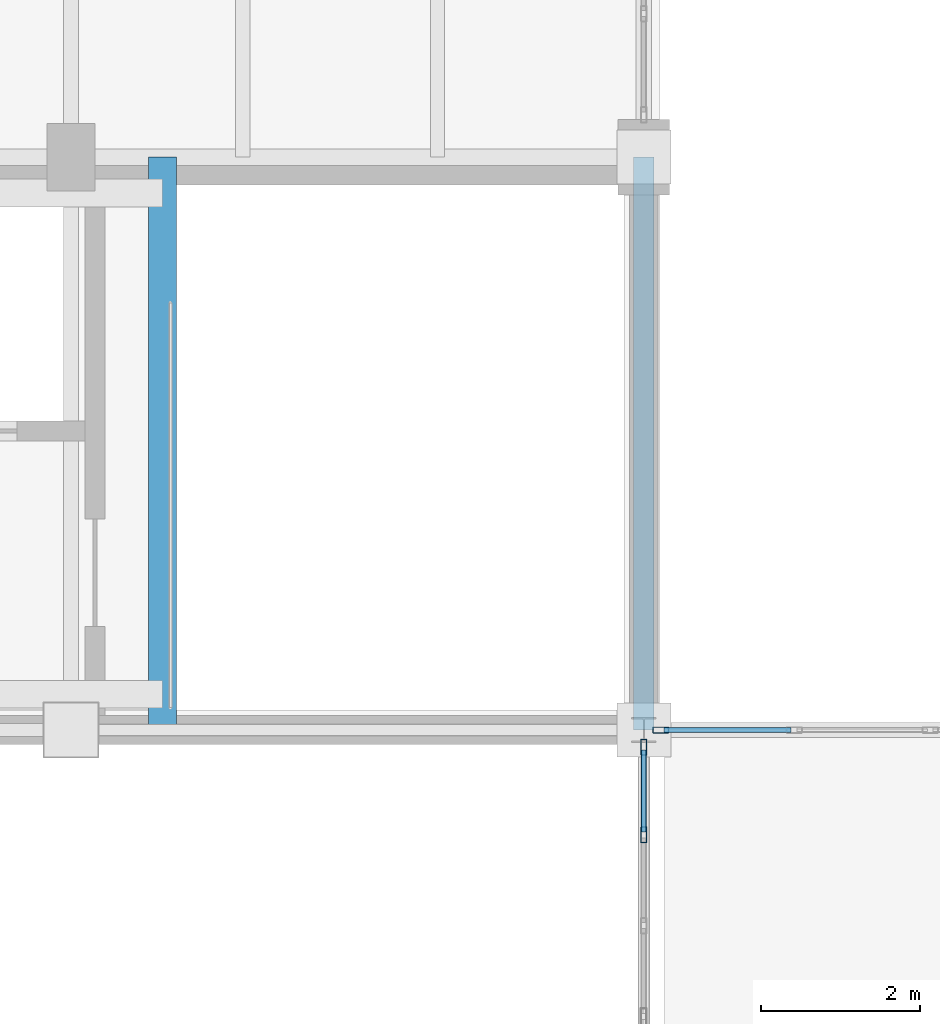
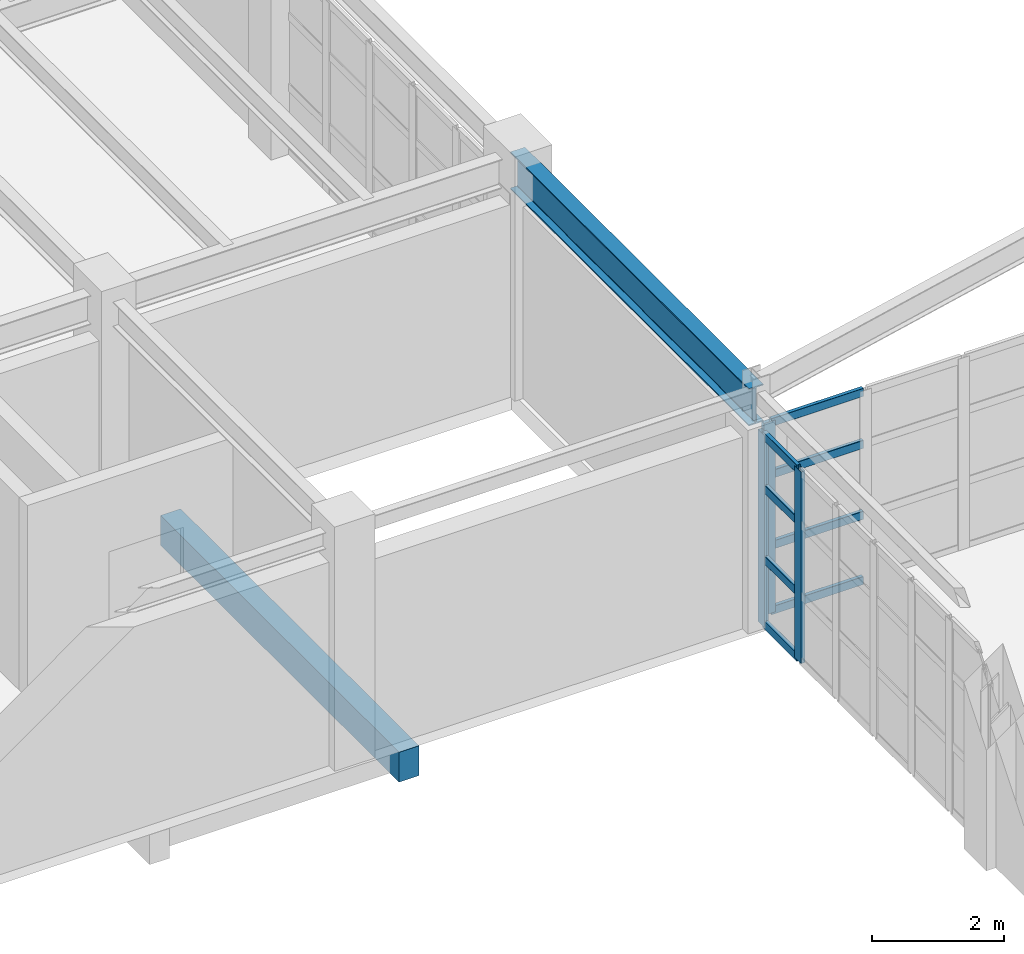
# One storey, part 85 of 137: 11 members, 2 beams, 2 elements without a shape of their own.
"""IFC4 building model written with IfcOpenShell, lengths in metres."""

from ifc_helpers import new_model, si_unit, direction, frame, origin, origin_2d, place, context, subcontext, project, spatial, rectangle, hollow_rectangle, i_section, extrude, material, layer, layer_set, material_profile, profile_set, type_object, element, aggregate, save


model = new_model("IFC4")

# Units and contexts
model_context = context("Model", 3, precision=1e-05, world=origin(), true_north=direction((0.0, 1.0)))
body_context = subcontext(model_context, "Body", "Model", "MODEL_VIEW")
ifc_project = project(units=[si_unit("LENGTHUNIT", "METRE"), si_unit("AREAUNIT", "SQUARE_METRE"), si_unit("VOLUMEUNIT", "CUBIC_METRE"), si_unit("PLANEANGLEUNIT", "RADIAN"), si_unit("MASSUNIT", "GRAM", prefix="KILO")], contexts=[model_context])

# Site, building, storey
site_placement = place(None, origin())
site = spatial("IfcSite", under=ifc_project, at=site_placement, CompositionType="ELEMENT")
building_placement = place(site_placement, origin())
building = spatial("IfcBuilding", under=site, at=building_placement, Name="Kemerveld Promenade Tramway Depot", CompositionType="ELEMENT")
storey_placement = place(building_placement, frame((0.0, 0.0, 5.39990234375)))
storey = spatial("IfcBuildingStorey", under=building, at=storey_placement, Name="L01", CompositionType="ELEMENT", Elevation=5.39990234375)

# Beams
ifc_material_1 = material(Name="Steel S355", Category="steel")
ifc_material_profile_1 = material_profile(ifc_material_1, i_section(OverallWidth=0.25439453125, OverallDepth=0.6875, WebThickness=0.01318359375, FlangeThickness=0.02099609375, FilletRadius=0.01513671875, at=origin_2d()), Name="686x254x152 UB")
ifc_profile_set_1 = profile_set([ifc_material_profile_1], Name="Steel S355")
beam_type_1 = type_object("IfcBeamType", Name="BM-G03", PredefinedType="BEAM", material=ifc_profile_set_1)
beam_1_placement = place(storey_placement, frame((158.39990234375, 50.39990234375, 3.896484375), z_axis=(0.0, 1.0, 0.0), x_axis=(-1.0, 0.0, 0.0)))
element("IfcBeam", 1, at=beam_1_placement, inside=storey, type_object=beam_type_1, Name="BMY-L01-23-H-J", PredefinedType="BEAM", context=body_context, shape_type="SweptSolid", body=[
    extrude(i_section(OverallWidth=0.25439453125, OverallDepth=0.6875, WebThickness=0.01318359375, FlangeThickness=0.02099609375, FilletRadius=0.01513671875, at=origin_2d()), origin(), (0.0, 0.0, 1.0), 7.2001953125),
])
ifc_material_2 = material(Name="Concrete C40/50", Category="concrete")
ifc_material_profile_2 = material_profile(ifc_material_2, rectangle(XDim=0.35009765625, YDim=0.550048828125, at=origin_2d()), Name="RC-BM-350x550")
ifc_profile_set_2 = profile_set([ifc_material_profile_2], Name="Concrete C40/50")
beam_type_2 = type_object("IfcBeamType", Name="BM-RC3", PredefinedType="BEAM", material=ifc_profile_set_2)
beam_2_placement = place(storey_placement, frame((152.35009765625, 50.39990234375, -0.599853515625), z_axis=(0.0, 1.0, 0.0), x_axis=(-1.0, 0.0, 0.0)))
element("IfcBeam", 2, at=beam_2_placement, inside=storey, type_object=beam_type_2, Name="BM-CORE-C6-L01-W", PredefinedType="BEAM", context=body_context, shape_type="SweptSolid", body=[
    extrude(rectangle(XDim=0.35009765625, YDim=0.550048828125, at=origin_2d()), origin(), (0.0, 0.0, 1.0), 7.2001953125),
])

# Curtain wall, member
ifc_material_3 = material(Name="Bronze anodised aluminium and solar glass", Category="aluminium")
ifc_layer_1 = layer(ifc_material_3, 0.199951171875)
ifc_layer_set_1 = layer_set([ifc_layer_1], Name="CW-SYS-04")
curtain_wall_type_1 = type_object("IfcCurtainWallType", Name="CW-SYS-04", PredefinedType="USERDEFINED", material=ifc_layer_set_1)
curtain_wall_1_placement = place(storey_placement, origin())
curtain_wall_1 = element("IfcCurtainWall", 3, at=curtain_wall_1_placement, inside=storey, type_object=curtain_wall_type_1, Name="CW-L01-V2N-01", ObjectType="GLAZED_CURTAIN_WALL", PredefinedType="USERDEFINED")
ifc_material_4 = material(Name="Bronze anodised aluminium", Category="aluminium")
ifc_material_profile_3 = material_profile(ifc_material_4, hollow_rectangle(XDim=0.074951171875, YDim=0.199951171875, WallThickness=0.0048828125, InnerFilletRadius=0.001953125, OuterFilletRadius=0.0048828125, at=origin_2d()), Name="CW-MUL-200x75")
ifc_profile_set_3 = profile_set([ifc_material_profile_3], Name="Bronze anodised aluminium")
member_type_1 = type_object("IfcMemberType", Name="CW-MUL-B", PredefinedType="MULLION", material=ifc_profile_set_3)
member_1_placement = place(storey_placement, frame((158.61474609375, 50.39990234375, 0.0), z_axis=(0.0, 0.0, 1.0), x_axis=(0.0, 1.0, 0.0)))
member_1 = element("IfcMember", 4, at=member_1_placement, type_object=member_type_1, Name="CW04 mullion 1", PredefinedType="MULLION", context=body_context, shape_type="SweptSolid", body=[
    extrude(hollow_rectangle(XDim=0.074951171875, YDim=0.199951171875, WallThickness=0.0048828125, InnerFilletRadius=0.001953125, OuterFilletRadius=0.0048828125, at=origin_2d()), origin(), (0.0, 0.0, 1.0), 3.53271484375),
])

# Curtain wall, members
ifc_layer_2 = layer(ifc_material_3, 0.199951171875)
ifc_layer_set_2 = layer_set([ifc_layer_2], Name="CW-SYS-06")
curtain_wall_type_2 = type_object("IfcCurtainWallType", Name="CW-SYS-06", PredefinedType="USERDEFINED", material=ifc_layer_set_2)
curtain_wall_2_placement = place(storey_placement, origin())
curtain_wall_2 = element("IfcCurtainWall", 5, at=curtain_wall_2_placement, inside=storey, type_object=curtain_wall_type_2, Name="CW-L01-V2W-03", ObjectType="GLAZED_CURTAIN_WALL", PredefinedType="USERDEFINED")
member_2_placement = place(storey_placement, frame((158.39990234375, 49.081787109375, 0.0), z_axis=(0.0, 0.0, 1.0), x_axis=(-1.0, 0.0, 0.0)))
member_2 = element("IfcMember", 6, at=member_2_placement, type_object=member_type_1, Name="CW06 mullion 6", PredefinedType="MULLION", context=body_context, shape_type="SweptSolid", body=[
    extrude(hollow_rectangle(XDim=0.074951171875, YDim=0.199951171875, WallThickness=0.0048828125, InnerFilletRadius=0.001953125, OuterFilletRadius=0.0048828125, at=origin_2d()), origin(), (0.0, 0.0, 1.0), 3.53271484375),
])
member_3_placement = place(storey_placement, frame((158.39990234375, 50.185302734375, 0.0), z_axis=(0.0, 0.0, 1.0), x_axis=(-1.0, 0.0, 0.0)))
member_3 = element("IfcMember", 7, at=member_3_placement, type_object=member_type_1, Name="CW06 mullion 7", PredefinedType="MULLION", context=body_context, shape_type="SweptSolid", body=[
    extrude(hollow_rectangle(XDim=0.074951171875, YDim=0.199951171875, WallThickness=0.0048828125, InnerFilletRadius=0.001953125, OuterFilletRadius=0.0048828125, at=origin_2d()), origin(), (0.0, 0.0, 1.0), 3.53271484375),
])

# Member
ifc_material_profile_4 = material_profile(ifc_material_4, hollow_rectangle(XDim=0.06494140625, YDim=0.14990234375, WallThickness=0.00439453125, InnerFilletRadius=0.001953125, OuterFilletRadius=0.00439453125, at=origin_2d()), Name="CW-TRN-150x65")
ifc_profile_set_4 = profile_set([ifc_material_profile_4], Name="Bronze anodised aluminium")
member_type_2 = type_object("IfcMemberType", Name="CW-TRN-B", PredefinedType="USERDEFINED", material=ifc_profile_set_4)
member_4_placement = place(storey_placement, frame((158.652099609375, 50.39990234375, 0.03271484375), z_axis=(1.0, 0.0, 0.0), x_axis=(0.0, 1.0, 0.0)))
member_4 = element("IfcMember", 8, at=member_4_placement, type_object=member_type_2, Name="CW04 transom 1.1", ObjectType="TRANSOM", PredefinedType="USERDEFINED", context=body_context, shape_type="SweptSolid", body=[
    extrude(hollow_rectangle(XDim=0.06494140625, YDim=0.14990234375, WallThickness=0.00439453125, InnerFilletRadius=0.001953125, OuterFilletRadius=0.00439453125, at=origin_2d()), origin(), (0.0, 0.0, 1.0), 1.59912109375),
])

member_5_placement = place(storey_placement, frame((158.652099609375, 50.39990234375, 1.236083984375), z_axis=(1.0, 0.0, 0.0), x_axis=(0.0, 1.0, 0.0)))
member_5 = element("IfcMember", 9, at=member_5_placement, type_object=member_type_2, Name="CW04 transom 1.2", ObjectType="TRANSOM", PredefinedType="USERDEFINED", context=body_context, shape_type="SweptSolid", body=[
    extrude(hollow_rectangle(XDim=0.06494140625, YDim=0.14990234375, WallThickness=0.00439453125, InnerFilletRadius=0.001953125, OuterFilletRadius=0.00439453125, at=origin_2d()), origin(), (0.0, 0.0, 1.0), 1.59912109375),
])

member_6_placement = place(storey_placement, frame((158.652099609375, 50.39990234375, 2.543212890625), z_axis=(1.0, 0.0, 0.0), x_axis=(0.0, 1.0, 0.0)))
member_6 = element("IfcMember", 10, at=member_6_placement, type_object=member_type_2, Name="CW04 transom 1.3", ObjectType="TRANSOM", PredefinedType="USERDEFINED", context=body_context, shape_type="SweptSolid", body=[
    extrude(hollow_rectangle(XDim=0.06494140625, YDim=0.14990234375, WallThickness=0.00439453125, InnerFilletRadius=0.001953125, OuterFilletRadius=0.00439453125, at=origin_2d()), origin(), (0.0, 0.0, 1.0), 1.59912109375),
])

member_7_placement = place(storey_placement, frame((158.652099609375, 50.39990234375, 3.500244140625), z_axis=(1.0, 0.0, 0.0), x_axis=(0.0, 1.0, 0.0)))
member_7 = element("IfcMember", 11, at=member_7_placement, type_object=member_type_2, Name="CW04 transom 1.4", ObjectType="TRANSOM", PredefinedType="USERDEFINED", context=body_context, shape_type="SweptSolid", body=[
    extrude(hollow_rectangle(XDim=0.06494140625, YDim=0.14990234375, WallThickness=0.00439453125, InnerFilletRadius=0.001953125, OuterFilletRadius=0.00439453125, at=origin_2d()), origin(), (0.0, 0.0, 1.0), 1.59912109375),
])

aggregate(curtain_wall_1, [member_1, member_4, member_5, member_6, member_7])

member_8_placement = place(storey_placement, frame((158.39990234375, 49.119384765625, 0.03271484375), z_axis=(0.0, 1.0, 0.0), x_axis=(-1.0, 0.0, 0.0)))
member_8 = element("IfcMember", 12, at=member_8_placement, type_object=member_type_2, Name="CW06 transom 6.1", ObjectType="TRANSOM", PredefinedType="USERDEFINED", context=body_context, shape_type="SweptSolid", body=[
    extrude(hollow_rectangle(XDim=0.06494140625, YDim=0.14990234375, WallThickness=0.00439453125, InnerFilletRadius=0.001953125, OuterFilletRadius=0.00439453125, at=origin_2d()), origin(), (0.0, 0.0, 1.0), 1.0283203125),
])

member_9_placement = place(storey_placement, frame((158.39990234375, 49.119384765625, 1.236083984375), z_axis=(0.0, 1.0, 0.0), x_axis=(-1.0, 0.0, 0.0)))
member_9 = element("IfcMember", 13, at=member_9_placement, type_object=member_type_2, Name="CW06 transom 6.2", ObjectType="TRANSOM", PredefinedType="USERDEFINED", context=body_context, shape_type="SweptSolid", body=[
    extrude(hollow_rectangle(XDim=0.06494140625, YDim=0.14990234375, WallThickness=0.00439453125, InnerFilletRadius=0.001953125, OuterFilletRadius=0.00439453125, at=origin_2d()), origin(), (0.0, 0.0, 1.0), 1.0283203125),
])

member_10_placement = place(storey_placement, frame((158.39990234375, 49.119384765625, 2.543212890625), z_axis=(0.0, 1.0, 0.0), x_axis=(-1.0, 0.0, 0.0)))
member_10 = element("IfcMember", 14, at=member_10_placement, type_object=member_type_2, Name="CW06 transom 6.3", ObjectType="TRANSOM", PredefinedType="USERDEFINED", context=body_context, shape_type="SweptSolid", body=[
    extrude(hollow_rectangle(XDim=0.06494140625, YDim=0.14990234375, WallThickness=0.00439453125, InnerFilletRadius=0.001953125, OuterFilletRadius=0.00439453125, at=origin_2d()), origin(), (0.0, 0.0, 1.0), 1.0283203125),
])

member_11_placement = place(storey_placement, frame((158.39990234375, 49.119384765625, 3.500244140625), z_axis=(0.0, 1.0, 0.0), x_axis=(-1.0, 0.0, 0.0)))
member_11 = element("IfcMember", 15, at=member_11_placement, type_object=member_type_2, Name="CW06 transom 6.4", ObjectType="TRANSOM", PredefinedType="USERDEFINED", context=body_context, shape_type="SweptSolid", body=[
    extrude(hollow_rectangle(XDim=0.06494140625, YDim=0.14990234375, WallThickness=0.00439453125, InnerFilletRadius=0.001953125, OuterFilletRadius=0.00439453125, at=origin_2d()), origin(), (0.0, 0.0, 1.0), 1.0283203125),
])

aggregate(curtain_wall_2, [member_2, member_3, member_8, member_9, member_10, member_11])

save(model, "model.ifc")
